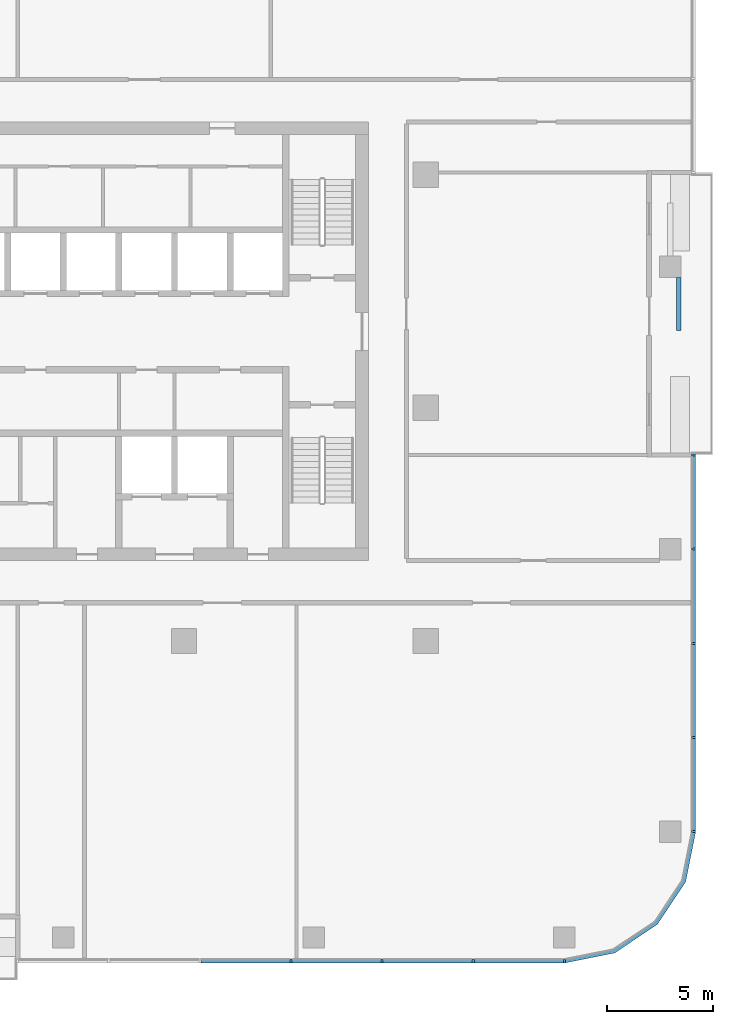
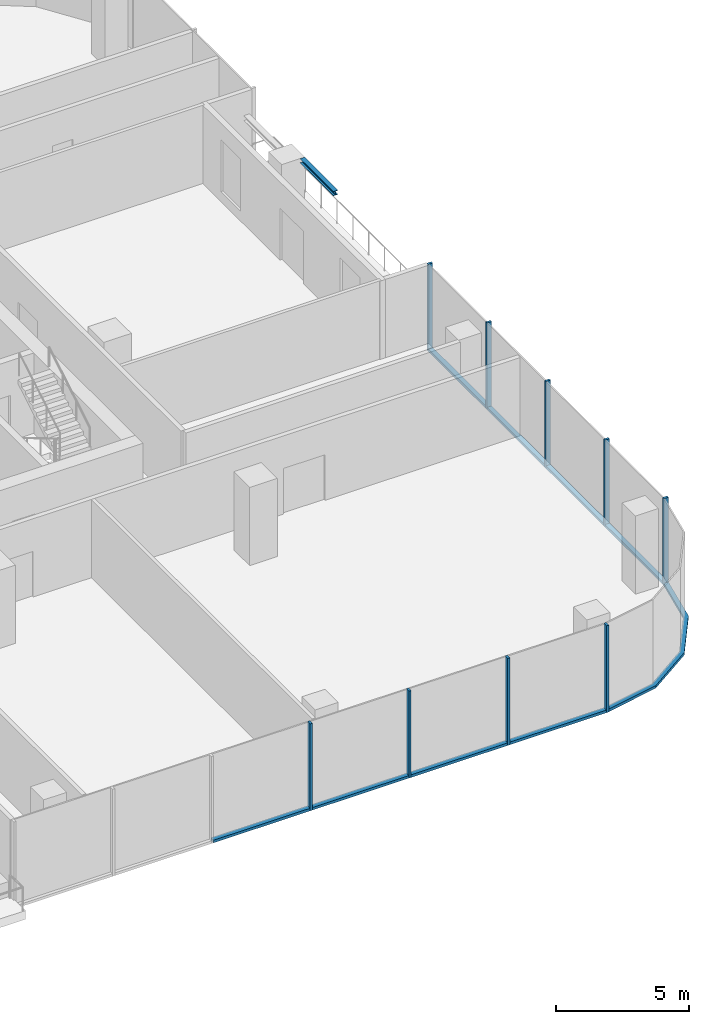
# One storey, part 3 of 13: 18 members, 1 beam, 3 elements without a shape of their own.
"""IFC4 building model written with IfcOpenShell, lengths in metres."""

from ifc_helpers import new_model, si_unit, direction, frame, origin, origin_2d, place, context, subcontext, project, spatial, polyline, rectangle, i_section, outline, extrude, material, material_profile, profile_set, type_object, element, aggregate, save


model = new_model("IFC4")

# Units and contexts
model_context = context("Model", 3, precision=1e-05, world=origin(), true_north=direction((0.0, 1.0)))
body_context = subcontext(model_context, "Body", "Model", "MODEL_VIEW")
ifc_project = project(units=[si_unit("LENGTHUNIT", "METRE"), si_unit("AREAUNIT", "SQUARE_METRE"), si_unit("VOLUMEUNIT", "CUBIC_METRE"), si_unit("PLANEANGLEUNIT", "RADIAN"), si_unit("MASSUNIT", "GRAM", prefix="KILO")], contexts=[model_context])

# Site, building, storey
site_placement = place(None, origin())
site = spatial("IfcSite", under=ifc_project, at=site_placement, CompositionType="ELEMENT")
building_placement = place(site_placement, origin())
building = spatial("IfcBuilding", under=site, at=building_placement, Name="Mopane Tessera Tower", CompositionType="ELEMENT")
storey_placement = place(building_placement, frame((0.0, 0.0, 295.39990234375)))
storey = spatial("IfcBuildingStorey", under=building, at=storey_placement, Name="L64", CompositionType="ELEMENT", Elevation=295.39990234375)

# Curtain wall, members
ifc_material_1 = material(Name="Aluminium frame", Category="aluminium")
curtain_wall_type = type_object("IfcCurtainWallType", Name="Unitised curtain wall", PredefinedType="NOTDEFINED", material=ifc_material_1)
curtain_wall_1_placement = place(storey_placement, origin())
curtain_wall_1 = element("IfcCurtainWall", 1, at=curtain_wall_1_placement, inside=storey, type_object=curtain_wall_type, Name="e:cw:L64:S:5", PredefinedType="NOTDEFINED")
ifc_material_2 = material(Name="Aluminium frame", Category="aluminium")
ifc_material_profile_1 = material_profile(ifc_material_2, rectangle(XDim=0.10009765625, YDim=0.199951171875, at=origin_2d()))
ifc_profile_set_1 = profile_set([ifc_material_profile_1], Name="Aluminium frame")
member_type_1 = type_object("IfcMemberType", Name="Aluminium mullion 100 x 200", PredefinedType="MULLION", material=ifc_profile_set_1)
member_1_placement = place(storey_placement, frame((10.75, -26.10009765625, -0.39990234375), z_axis=(0.0, 0.0, 1.0), x_axis=(1.0, 0.0, 0.0)))
member_1 = element("IfcMember", 2, at=member_1_placement, type_object=member_type_1, Name="e:cw:L64:S:5:mu8", PredefinedType="MULLION", context=body_context, shape_type="SweptSolid", body=[
    extrude(rectangle(XDim=0.10009765625, YDim=0.199951171875, at=origin_2d()), origin(), (0.0, 0.0, 1.0), 4.0),
])
member_2_placement = place(storey_placement, frame((15.050048828125, -26.10009765625, -0.39990234375), z_axis=(0.0, 0.0, 1.0), x_axis=(1.0, 0.0, 0.0)))
member_2 = element("IfcMember", 3, at=member_2_placement, type_object=member_type_1, Name="e:cw:L64:S:5:mu9", PredefinedType="MULLION", context=body_context, shape_type="SweptSolid", body=[
    extrude(rectangle(XDim=0.10009765625, YDim=0.199951171875, at=origin_2d()), origin(), (0.0, 0.0, 1.0), 4.0),
])
member_3_placement = place(storey_placement, frame((19.35009765625, -26.10009765625, -0.39990234375), z_axis=(0.0, 0.0, 1.0), x_axis=(1.0, 0.0, 0.0)))
member_3 = element("IfcMember", 4, at=member_3_placement, type_object=member_type_1, Name="e:cw:L64:S:5:mu10", PredefinedType="MULLION", context=body_context, shape_type="SweptSolid", body=[
    extrude(rectangle(XDim=0.10009765625, YDim=0.199951171875, at=origin_2d()), origin(), (0.0, 0.0, 1.0), 4.0),
])
member_4_placement = place(storey_placement, frame((23.64990234375, -26.10009765625, -0.39990234375), z_axis=(0.0, 0.0, 1.0), x_axis=(1.0, 0.0, 0.0)))
member_4 = element("IfcMember", 5, at=member_4_placement, type_object=member_type_1, Name="e:cw:L64:S:5:mu11", PredefinedType="MULLION", context=body_context, shape_type="SweptSolid", body=[
    extrude(rectangle(XDim=0.10009765625, YDim=0.199951171875, at=origin_2d()), origin(), (0.0, 0.0, 1.0), 4.0),
])

curtain_wall_2_placement = place(storey_placement, origin())
curtain_wall_2 = element("IfcCurtainWall", 6, at=curtain_wall_2_placement, inside=storey, type_object=curtain_wall_type, Name="e:cw:L64:E:0", PredefinedType="NOTDEFINED")
member_5_placement = place(storey_placement, frame((29.75, -20.0, -0.39990234375), z_axis=(0.0, 0.0, 1.0), x_axis=(0.0, 1.0, 0.0)))
member_5 = element("IfcMember", 7, at=member_5_placement, type_object=member_type_1, Name="e:cw:L64:E:0:mu0", PredefinedType="MULLION", context=body_context, shape_type="SweptSolid", body=[
    extrude(rectangle(XDim=0.10009765625, YDim=0.199951171875, at=origin_2d()), origin(), (0.0, 0.0, 1.0), 4.0),
])
member_6_placement = place(storey_placement, frame((29.75, -15.5556640625, -0.39990234375), z_axis=(0.0, 0.0, 1.0), x_axis=(0.0, 1.0, 0.0)))
member_6 = element("IfcMember", 8, at=member_6_placement, type_object=member_type_1, Name="e:cw:L64:E:0:mu1", PredefinedType="MULLION", context=body_context, shape_type="SweptSolid", body=[
    extrude(rectangle(XDim=0.10009765625, YDim=0.199951171875, at=origin_2d()), origin(), (0.0, 0.0, 1.0), 4.0),
])
member_7_placement = place(storey_placement, frame((29.75, -11.111083984375, -0.39990234375), z_axis=(0.0, 0.0, 1.0), x_axis=(0.0, 1.0, 0.0)))
member_7 = element("IfcMember", 9, at=member_7_placement, type_object=member_type_1, Name="e:cw:L64:E:0:mu2", PredefinedType="MULLION", context=body_context, shape_type="SweptSolid", body=[
    extrude(rectangle(XDim=0.10009765625, YDim=0.199951171875, at=origin_2d()), origin(), (0.0, 0.0, 1.0), 4.0),
])
member_8_placement = place(storey_placement, frame((29.75, -6.666748046875, -0.39990234375), z_axis=(0.0, 0.0, 1.0), x_axis=(0.0, 1.0, 0.0)))
member_8 = element("IfcMember", 10, at=member_8_placement, type_object=member_type_1, Name="e:cw:L64:E:0:mu3", PredefinedType="MULLION", context=body_context, shape_type="SweptSolid", body=[
    extrude(rectangle(XDim=0.10009765625, YDim=0.199951171875, at=origin_2d()), origin(), (0.0, 0.0, 1.0), 4.0),
])
member_9_placement = place(storey_placement, frame((29.75, -2.22216796875, -0.39990234375), z_axis=(0.0, 0.0, 1.0), x_axis=(0.0, 1.0, 0.0)))
member_9 = element("IfcMember", 11, at=member_9_placement, type_object=member_type_1, Name="e:cw:L64:E:0:mu4", PredefinedType="MULLION", context=body_context, shape_type="SweptSolid", body=[
    extrude(rectangle(XDim=0.10009765625, YDim=0.199951171875, at=origin_2d()), origin(), (0.0, 0.0, 1.0), 4.0),
])

# Member
ifc_material_3 = material(Name="Aluminium frame", Category="aluminium")
ifc_material_profile_2 = material_profile(ifc_material_3, rectangle(XDim=0.199951171875, YDim=0.1201171875, at=origin_2d()))
ifc_profile_set_2 = profile_set([ifc_material_profile_2], Name="Aluminium frame")
member_type_2 = type_object("IfcMemberType", Name="Aluminium transom 200 x 120", PredefinedType="USERDEFINED", material=ifc_profile_set_2)
member_10_placement = place(storey_placement, frame((6.5, -26.10009765625, -0.33984375), z_axis=(1.0, 0.0, 0.0), x_axis=(0.0, 1.0, 0.0)))
member_10 = element("IfcMember", 12, at=member_10_placement, type_object=member_type_2, Name="e:cw:L64:S:5:tr7", ObjectType="TRANSOM", PredefinedType="USERDEFINED", context=body_context, shape_type="SweptSolid", body=[
    extrude(rectangle(XDim=0.199951171875, YDim=0.1201171875, at=origin_2d()), origin(), (0.0, 0.0, 1.0), 4.199951171875),
])

member_11_placement = place(storey_placement, frame((10.800048828125, -26.10009765625, -0.33984375), z_axis=(1.0, 0.0, 0.0), x_axis=(0.0, 1.0, 0.0)))
member_11 = element("IfcMember", 13, at=member_11_placement, type_object=member_type_2, Name="e:cw:L64:S:5:tr8", ObjectType="TRANSOM", PredefinedType="USERDEFINED", context=body_context, shape_type="SweptSolid", body=[
    extrude(rectangle(XDim=0.199951171875, YDim=0.1201171875, at=origin_2d()), origin(), (0.0, 0.0, 1.0), 4.199951171875),
])

member_12_placement = place(storey_placement, frame((15.10009765625, -26.10009765625, -0.33984375), z_axis=(1.0, 0.0, 0.0), x_axis=(0.0, 1.0, 0.0)))
member_12 = element("IfcMember", 14, at=member_12_placement, type_object=member_type_2, Name="e:cw:L64:S:5:tr9", ObjectType="TRANSOM", PredefinedType="USERDEFINED", context=body_context, shape_type="SweptSolid", body=[
    extrude(rectangle(XDim=0.199951171875, YDim=0.1201171875, at=origin_2d()), origin(), (0.0, 0.0, 1.0), 4.199951171875),
])

member_13_placement = place(storey_placement, frame((19.39990234375, -26.10009765625, -0.33984375), z_axis=(1.0, 0.0, 0.0), x_axis=(0.0, 1.0, 0.0)))
member_13 = element("IfcMember", 15, at=member_13_placement, type_object=member_type_2, Name="e:cw:L64:S:5:tr10", ObjectType="TRANSOM", PredefinedType="USERDEFINED", context=body_context, shape_type="SweptSolid", body=[
    extrude(rectangle(XDim=0.199951171875, YDim=0.1201171875, at=origin_2d()), origin(), (0.0, 0.0, 1.0), 4.2001953125),
])

aggregate(curtain_wall_1, [member_1, member_2, member_3, member_4, member_10, member_11, member_12, member_13])

# Curtain wall, member
curtain_wall_3_placement = place(storey_placement, origin())
curtain_wall_3 = element("IfcCurtainWall", 16, at=curtain_wall_3_placement, inside=storey, type_object=curtain_wall_type, Name="e:cw:L64:CS", PredefinedType="NOTDEFINED")
member_14_placement = place(storey_placement, frame((0.0, 0.0, -0.39990234375)))
member_14 = element("IfcMember", 17, at=member_14_placement, type_object=member_type_2, Name="e:cw:L64:CS:tr", ObjectType="TRANSOM", PredefinedType="USERDEFINED", context=body_context, shape_type="SweptSolid", body=[
    extrude(outline(polyline([(23.64990234375, -26.0), (25.946044921875, -25.543212890625), (27.892578125, -24.24267578125), (29.193359375, -22.296142578125), (29.64990234375, -20.0), (29.85009765625, -20.0), (29.378173828125, -22.37255859375), (28.0341796875, -24.384033203125), (26.022705078125, -25.72802734375), (23.64990234375, -26.199951171875), (23.64990234375, -26.0)])), origin(), (0.0, 0.0, 1.0), 0.1201171875),
])
aggregate(curtain_wall_3, [member_14])

# Member
member_15_placement = place(storey_placement, frame((29.75, -19.949951171875, -0.33984375), z_axis=(0.0, 1.0, 0.0), x_axis=(-1.0, 0.0, 0.0)))
member_15 = element("IfcMember", 18, at=member_15_placement, type_object=member_type_2, Name="e:cw:L64:E:0:tr0", ObjectType="TRANSOM", PredefinedType="USERDEFINED", context=body_context, shape_type="SweptSolid", body=[
    extrude(rectangle(XDim=0.199951171875, YDim=0.1201171875, at=origin_2d()), origin(), (0.0, 0.0, 1.0), 4.344482421875),
])

member_16_placement = place(storey_placement, frame((29.75, -15.505615234375, -0.33984375), z_axis=(0.0, 1.0, 0.0), x_axis=(-1.0, 0.0, 0.0)))
member_16 = element("IfcMember", 19, at=member_16_placement, type_object=member_type_2, Name="e:cw:L64:E:0:tr1", ObjectType="TRANSOM", PredefinedType="USERDEFINED", context=body_context, shape_type="SweptSolid", body=[
    extrude(rectangle(XDim=0.199951171875, YDim=0.1201171875, at=origin_2d()), origin(), (0.0, 0.0, 1.0), 4.344482421875),
])

member_17_placement = place(storey_placement, frame((29.75, -11.06103515625, -0.33984375), z_axis=(0.0, 1.0, 0.0), x_axis=(-1.0, 0.0, 0.0)))
member_17 = element("IfcMember", 20, at=member_17_placement, type_object=member_type_2, Name="e:cw:L64:E:0:tr2", ObjectType="TRANSOM", PredefinedType="USERDEFINED", context=body_context, shape_type="SweptSolid", body=[
    extrude(rectangle(XDim=0.199951171875, YDim=0.1201171875, at=origin_2d()), origin(), (0.0, 0.0, 1.0), 4.344482421875),
])

member_18_placement = place(storey_placement, frame((29.75, -6.61669921875, -0.33984375), z_axis=(0.0, 1.0, 0.0), x_axis=(-1.0, 0.0, 0.0)))
member_18 = element("IfcMember", 21, at=member_18_placement, type_object=member_type_2, Name="e:cw:L64:E:0:tr3", ObjectType="TRANSOM", PredefinedType="USERDEFINED", context=body_context, shape_type="SweptSolid", body=[
    extrude(rectangle(XDim=0.199951171875, YDim=0.1201171875, at=origin_2d()), origin(), (0.0, 0.0, 1.0), 4.344482421875),
])

aggregate(curtain_wall_2, [member_5, member_6, member_7, member_8, member_9, member_15, member_16, member_17, member_18])

# Beam
ifc_material_4 = material(Name="Structural steel S460", Category="steel")
ifc_material_profile_3 = material_profile(ifc_material_4, i_section(OverallWidth=0.199951171875, OverallDepth=0.199951171875, WebThickness=0.009033203125, FlangeThickness=0.014892578125, FilletRadius=0.01806640625, at=origin_2d()))
ifc_profile_set_3 = profile_set([ifc_material_profile_3], Name="Structural steel S460")
beam_type = type_object("IfcBeamType", Name="Terrace trimmer beam HE 200 B", PredefinedType="BEAM", material=ifc_profile_set_3)
beam_placement = place(storey_placement, frame((29.0498046875, 6.163818359375, 3.5), z_axis=(0.0, -1.0, 0.0), x_axis=(1.0, 0.0, 0.0)))
element("IfcBeam", 22, at=beam_placement, inside=storey, type_object=beam_type, Name="Terrace trimmer beam N1 L65", PredefinedType="BEAM", context=body_context, shape_type="SweptSolid", body=[
    extrude(i_section(OverallWidth=0.199951171875, OverallDepth=0.199951171875, WebThickness=0.009033203125, FlangeThickness=0.014892578125, FilletRadius=0.01806640625, at=origin_2d()), origin(), (0.0, 0.0, 1.0), 2.5),
])

save(model, "model.ifc")
